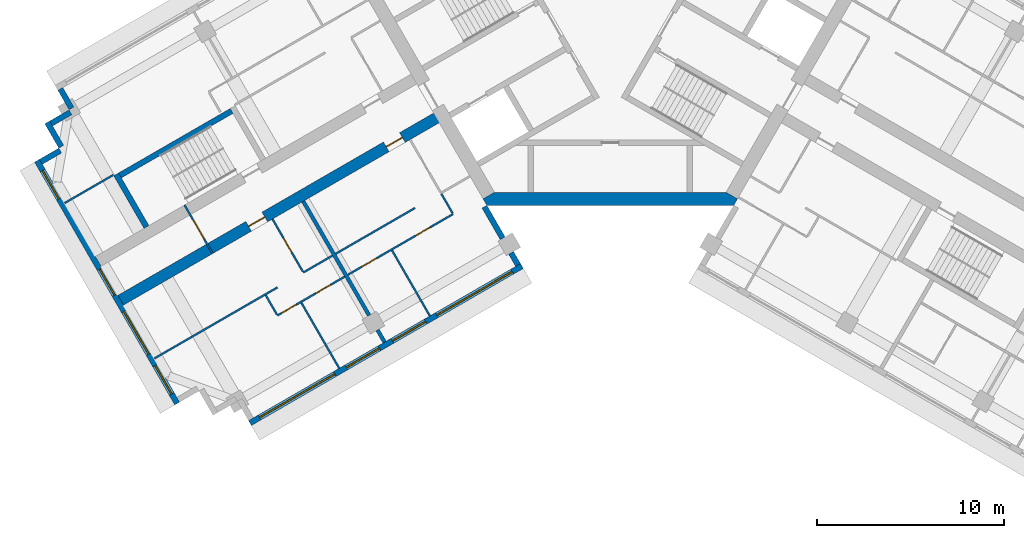
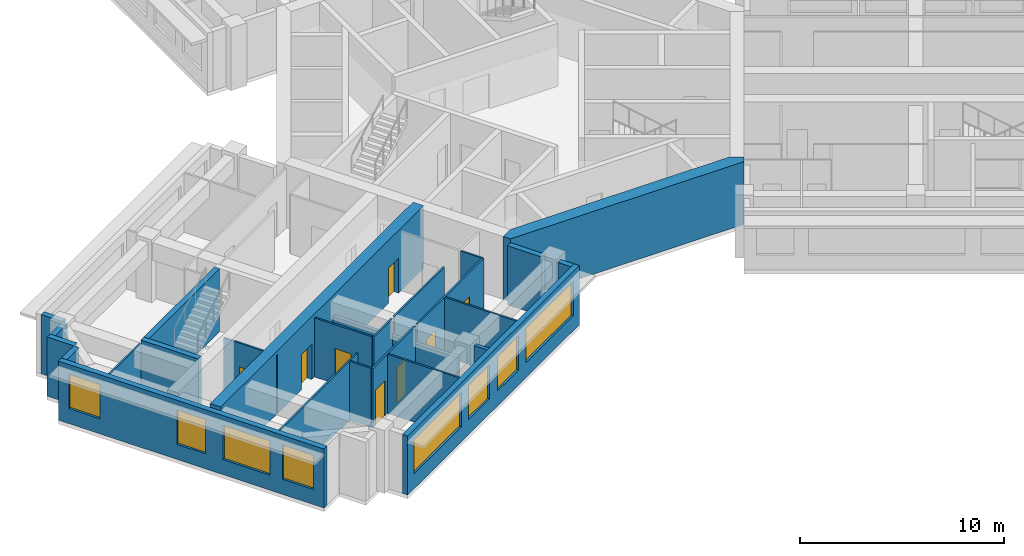
# One storey, part 2 of 10: 26 walls, 8 doors, 8 windows, 16 openings.
"""IFC4 building model written with IfcOpenShell, lengths in metres."""

from ifc_helpers import new_model, si_unit, direction, frame, frame_2d, origin, place, context, subcontext, project, spatial, polyline, rectangle, outline, extrude, material, layer, layer_set, type_object, element, fill, save


model = new_model("IFC4")

# Units and contexts
model_context = context("Model", 3, precision=1e-05, world=origin(), true_north=direction((0.0, 1.0)))
body_context = subcontext(model_context, "Body", "Model", "MODEL_VIEW")
ifc_project = project(units=[si_unit("LENGTHUNIT", "METRE"), si_unit("AREAUNIT", "SQUARE_METRE"), si_unit("VOLUMEUNIT", "CUBIC_METRE"), si_unit("PLANEANGLEUNIT", "RADIAN"), si_unit("MASSUNIT", "GRAM", prefix="KILO")], contexts=[model_context])

# Site, building, storey
site_placement = place(None, origin())
site = spatial("IfcSite", under=ifc_project, at=site_placement, CompositionType="ELEMENT")
building_placement = place(site_placement, origin())
building = spatial("IfcBuilding", under=site, at=building_placement, Name="Impinga Residences", CompositionType="ELEMENT")
storey_placement = place(building_placement, frame((0.0, 0.0, 233.5)))
storey = spatial("IfcBuildingStorey", under=building, at=storey_placement, Name="L58", CompositionType="ELEMENT", Elevation=233.5)

# Wall, openings, doors
ifc_material_1 = material(Name="Concrete C60/75", Category="concrete")
ifc_layer_1 = layer(ifc_material_1, 0.60009765625)
ifc_layer_set_1 = layer_set([ifc_layer_1], Name="Concrete C60/75")
wall_type_1 = type_object("IfcWallType", Name="BW3 corridor buttress wall, L46 to L73 600", PredefinedType="SHEAR", material=ifc_layer_set_1)
wall_1_placement = place(storey_placement, frame((-8.996826171875, -6.580078125, 0.0), z_axis=(0.0, 0.0, 1.0), x_axis=(-0.866030540451, -0.499991102927, 0.0)))
wall_1 = element("IfcWall", 1, at=wall_1_placement, inside=storey, type_object=wall_type_1, Name="Corridor wall BW3 WC L58", PredefinedType="SHEAR", context=body_context, shape_type="SweptSolid", body=[
    extrude(rectangle(XDim=19.849853515625, YDim=0.60009765625, at=frame_2d((9.9248046875, 0.0))), origin(), (0.0, 0.0, 1.0), 3.75),
])
opening_1_placement = place(wall_1_placement, frame((2.449951171875, 0.0, 0.0)))
opening_1 = element("IfcOpeningElement", 2, at=opening_1_placement, cuts=wall_1, Name="Opening D1", PredefinedType="OPENING", context=body_context, shape_type="SweptSolid", body=[
    extrude(rectangle(XDim=1.0, YDim=2.10009765625, at=frame_2d((0.5, 1.050048828125))), frame((0.0, 0.31005859375, 0.0), z_axis=(0.0, -1.0, 0.0), x_axis=(1.0, 0.0, 0.0)), (0.0, 0.0, 1.0), 0.6201171875),
])
opening_2_placement = place(wall_1_placement, frame((10.949951171875, 0.0, 0.0)))
opening_2 = element("IfcOpeningElement", 3, at=opening_2_placement, cuts=wall_1, Name="Opening D1", PredefinedType="OPENING", context=body_context, shape_type="SweptSolid", body=[
    extrude(rectangle(XDim=1.0, YDim=2.10009765625, at=frame_2d((0.5, 1.050048828125))), frame((0.0, 0.31005859375, 0.0), z_axis=(0.0, -1.0, 0.0), x_axis=(1.0, 0.0, 0.0)), (0.0, 0.0, 1.0), 0.6201171875),
])
ifc_material_2 = material(Name="Timber door set", Category="wood")
door_type_1 = type_object("IfcDoorType", Name="D1 apartment entrance door 1000x2100", OperationType="SINGLE_SWING_LEFT", PredefinedType="DOOR", material=ifc_material_2)
door_1_placement = place(opening_1_placement, origin())
door_1 = element("IfcDoor", 4, at=door_1_placement, inside=storey, type_object=door_type_1, Name="Apartment L58-WA1 entrance", OperationType="SINGLE_SWING_LEFT", OverallHeight=2.10009765625, OverallWidth=1.0, PredefinedType="DOOR", context=body_context, shape_type="SweptSolid", body=[
    extrude(rectangle(XDim=1.0, YDim=2.10009765625, at=frame_2d((0.5, 1.050048828125))), frame((0.0, 0.02490234375, 0.0), z_axis=(0.0, -1.0, 0.0), x_axis=(1.0, 0.0, 0.0)), (0.0, 0.0, 1.0), 0.050048828125),
])
fill(opening_1, door_1)
door_2_placement = place(opening_2_placement, origin())
door_2 = element("IfcDoor", 5, at=door_2_placement, inside=storey, type_object=door_type_1, Name="Apartment L58-WA2 entrance", OperationType="SINGLE_SWING_RIGHT", OverallHeight=2.10009765625, OverallWidth=1.0, PredefinedType="DOOR", context=body_context, shape_type="SweptSolid", body=[
    extrude(rectangle(XDim=1.0, YDim=2.10009765625, at=frame_2d((0.5, 1.050048828125))), frame((0.0, 0.02490234375, 0.0), z_axis=(0.0, -1.0, 0.0), x_axis=(1.0, 0.0, 0.0)), (0.0, 0.0, 1.0), 0.050048828125),
])
fill(opening_2, door_2)

# Wall, opening, door
ifc_material_3 = material(Name="Concrete blockwork", Category="masonry")
ifc_layer_2 = layer(ifc_material_3, 0.10009765625)
ifc_layer_set_2 = layer_set([ifc_layer_2], Name="CP1 core room partition, blockwork 100")
wall_type_2 = type_object("IfcWallType", Name="CP1 core room partition, blockwork 100", PredefinedType="PARTITIONING", material=ifc_layer_set_2)
wall_2_placement = place(storey_placement, frame((-21.2744140625, -14.014892578125, 0.0), z_axis=(0.0, 0.0, 1.0), x_axis=(-0.499990139034, 0.866031096941, 0.0)))
wall_2 = element("IfcWall", 6, at=wall_2_placement, inside=storey, type_object=wall_type_2, Name="Core room partition, blockwork L58:W:LNG", PredefinedType="PARTITIONING", context=body_context, shape_type="SweptSolid", body=[
    extrude(rectangle(XDim=3.0, YDim=0.10009765625, at=frame_2d((1.5, 0.0))), origin(), (0.0, 0.0, 1.0), 3.530029296875),
])
opening_3_placement = place(wall_2_placement, frame((0.89990234375, 0.0, 0.0)))
opening_3 = element("IfcOpeningElement", 7, at=opening_3_placement, cuts=wall_2, Name="Opening D3", PredefinedType="OPENING", context=body_context, shape_type="SweptSolid", body=[
    extrude(rectangle(XDim=1.199951171875, YDim=2.10009765625, at=frame_2d((0.60009765625, 1.050048828125))), frame((0.0, 0.06005859375, 0.0), z_axis=(0.0, -1.0, 0.0), x_axis=(1.0, 0.0, 0.0)), (0.0, 0.0, 1.0), 0.1201171875),
])
door_type_2 = type_object("IfcDoorType", Name="D3 room door, leaf and a half 1200x2100", OperationType="DOUBLE_SWING_LEFT", PredefinedType="DOOR", material=ifc_material_2)
door_3_placement = place(opening_3_placement, origin())
door_3 = element("IfcDoor", 8, at=door_3_placement, inside=storey, type_object=door_type_2, Name="Residents' lounge door W", OperationType="DOUBLE_SWING_LEFT", OverallHeight=2.10009765625, OverallWidth=1.199951171875, PredefinedType="DOOR", context=body_context, shape_type="SweptSolid", body=[
    extrude(rectangle(XDim=1.199951171875, YDim=2.10009765625, at=frame_2d((0.60009765625, 1.050048828125))), frame((0.0, 0.02490234375, 0.0), z_axis=(0.0, -1.0, 0.0), x_axis=(1.0, 0.0, 0.0)), (0.0, 0.0, 1.0), 0.050048828125),
])
fill(opening_3, door_3)

# Walls
ifc_material_4 = material(Name="Terracotta rainscreen on blockwork", Category="masonry")
ifc_layer_3 = layer(ifc_material_4, 0.300048828125)
ifc_layer_set_3 = layer_set([ifc_layer_3], Name="EW1 external wall, terracotta rainscreen on blockwork 300")
wall_type_3 = type_object("IfcWallType", Name="EW1 external wall, terracotta rainscreen on blockwork 300", PredefinedType="SOLIDWALL", material=ifc_layer_set_3)
wall_3_placement = place(storey_placement, frame((-6.72998046875, -11.506591796875, 0.0), z_axis=(0.0, 0.0, 1.0), x_axis=(0.500043961785, -0.866000020948, 0.0)))
element("IfcWall", 9, at=wall_3_placement, inside=storey, type_object=wall_type_3, Name="External wall EW1 L58", PredefinedType="SOLIDWALL", context=body_context, shape_type="SweptSolid", body=[
    extrude(rectangle(XDim=1.949951171875, YDim=0.300048828125, at=frame_2d((0.97509765625, 0.0))), origin(), (0.0, 0.0, 1.0), 3.530029296875),
])
wall_4_placement = place(storey_placement, frame((-5.304931640625, -13.974609375, 0.0), z_axis=(0.0, 0.0, 1.0), x_axis=(0.499919672301, -0.866071776036, 0.0)))
element("IfcWall", 10, at=wall_4_placement, inside=storey, type_object=wall_type_3, Name="External wall EW1 L58", PredefinedType="SOLIDWALL", context=body_context, shape_type="SweptSolid", body=[
    extrude(rectangle(XDim=0.75, YDim=0.300048828125, at=frame_2d((0.375, 0.0))), origin(), (0.0, 0.0, 1.0), 3.530029296875),
])

# Wall, openings, windows
wall_5_placement = place(storey_placement, frame((-4.72509765625, -14.67919921875, 0.0), z_axis=(0.0, 0.0, 1.0), x_axis=(-0.86602562146, -0.499999622975, 0.0)))
wall_5 = element("IfcWall", 11, at=wall_5_placement, inside=storey, type_object=wall_type_3, Name="External wall EW1 L58", PredefinedType="SOLIDWALL", context=body_context, shape_type="SweptSolid", body=[
    extrude(rectangle(XDim=16.7998046875, YDim=0.300048828125, at=frame_2d((8.39990234375, 0.0))), origin(), (0.0, 0.0, 1.0), 3.530029296875),
])
opening_4_placement = place(wall_5_placement, frame((0.60009765625, 0.0, 0.89990234375)))
opening_4 = element("IfcOpeningElement", 12, at=opening_4_placement, cuts=wall_5, Name="Opening W10", PredefinedType="OPENING", context=body_context, shape_type="SweptSolid", body=[
    extrude(rectangle(XDim=4.64990234375, YDim=2.050048828125, at=frame_2d((2.324951171875, 1.02490234375))), frame((0.0, 0.159912109375, 0.0), z_axis=(0.0, -1.0, 0.0), x_axis=(1.0, 0.0, 0.0)), (0.0, 0.0, 1.0), 0.320068359375),
])
opening_5_placement = place(wall_5_placement, frame((5.949951171875, 0.0, 0.89990234375)))
opening_5 = element("IfcOpeningElement", 13, at=opening_5_placement, cuts=wall_5, Name="Opening W14", PredefinedType="OPENING", context=body_context, shape_type="SweptSolid", body=[
    extrude(rectangle(XDim=2.050048828125, YDim=2.050048828125, at=frame_2d((1.02490234375, 1.02490234375))), frame((0.0, 0.159912109375, 0.0), z_axis=(0.0, -1.0, 0.0), x_axis=(1.0, 0.0, 0.0)), (0.0, 0.0, 1.0), 0.320068359375),
])
opening_6_placement = place(wall_5_placement, frame((8.800048828125, 0.0, 0.89990234375)))
opening_6 = element("IfcOpeningElement", 14, at=opening_6_placement, cuts=wall_5, Name="Opening W14", PredefinedType="OPENING", context=body_context, shape_type="SweptSolid", body=[
    extrude(rectangle(XDim=2.050048828125, YDim=2.050048828125, at=frame_2d((1.02490234375, 1.02490234375))), frame((0.0, 0.159912109375, 0.0), z_axis=(0.0, -1.0, 0.0), x_axis=(1.0, 0.0, 0.0)), (0.0, 0.0, 1.0), 0.320068359375),
])
opening_7_placement = place(wall_5_placement, frame((11.550048828125, 0.0, 0.89990234375)))
opening_7 = element("IfcOpeningElement", 15, at=opening_7_placement, cuts=wall_5, Name="Opening W10", PredefinedType="OPENING", context=body_context, shape_type="SweptSolid", body=[
    extrude(rectangle(XDim=4.64990234375, YDim=2.050048828125, at=frame_2d((2.324951171875, 1.02490234375))), frame((0.0, 0.159912109375, 0.0), z_axis=(0.0, -1.0, 0.0), x_axis=(1.0, 0.0, 0.0)), (0.0, 0.0, 1.0), 0.320068359375),
])
ifc_material_5 = material(Name="Aluminium window, clear double glazing", Category="aluminium")
window_type_1 = type_object("IfcWindowType", Name="W10 ribbon window 4650x2050", PartitioningType="SINGLE_PANEL", PredefinedType="WINDOW", material=ifc_material_5)
window_1_placement = place(opening_4_placement, origin())
window_1 = element("IfcWindow", 16, at=window_1_placement, inside=storey, type_object=window_type_1, Name="Window L58", OverallHeight=2.050048828125, OverallWidth=4.64990234375, PartitioningType="SINGLE_PANEL", PredefinedType="WINDOW", context=body_context, shape_type="SweptSolid", body=[
    extrude(rectangle(XDim=4.64990234375, YDim=2.050048828125, at=frame_2d((2.324951171875, 1.02490234375))), frame((0.0, 0.030029296875, 0.0), z_axis=(0.0, -1.0, 0.0), x_axis=(1.0, 0.0, 0.0)), (0.0, 0.0, 1.0), 0.06005859375),
])
fill(opening_4, window_1)
window_2_placement = place(opening_7_placement, origin())
window_2 = element("IfcWindow", 17, at=window_2_placement, inside=storey, type_object=window_type_1, Name="Window L58", OverallHeight=2.050048828125, OverallWidth=4.64990234375, PartitioningType="SINGLE_PANEL", PredefinedType="WINDOW", context=body_context, shape_type="SweptSolid", body=[
    extrude(rectangle(XDim=4.64990234375, YDim=2.050048828125, at=frame_2d((2.324951171875, 1.02490234375))), frame((0.0, 0.030029296875, 0.0), z_axis=(0.0, -1.0, 0.0), x_axis=(1.0, 0.0, 0.0)), (0.0, 0.0, 1.0), 0.06005859375),
])
fill(opening_7, window_2)
window_type_2 = type_object("IfcWindowType", Name="W14 ribbon window 2050x2050", PartitioningType="SINGLE_PANEL", PredefinedType="WINDOW", material=ifc_material_5)
window_3_placement = place(opening_5_placement, origin())
window_3 = element("IfcWindow", 18, at=window_3_placement, inside=storey, type_object=window_type_2, Name="Window L58", OverallHeight=2.050048828125, OverallWidth=2.050048828125, PartitioningType="SINGLE_PANEL", PredefinedType="WINDOW", context=body_context, shape_type="SweptSolid", body=[
    extrude(rectangle(XDim=2.050048828125, YDim=2.050048828125, at=frame_2d((1.02490234375, 1.02490234375))), frame((0.0, 0.030029296875, 0.0), z_axis=(0.0, -1.0, 0.0), x_axis=(1.0, 0.0, 0.0)), (0.0, 0.0, 1.0), 0.06005859375),
])
fill(opening_5, window_3)
window_4_placement = place(opening_6_placement, origin())
window_4 = element("IfcWindow", 19, at=window_4_placement, inside=storey, type_object=window_type_2, Name="Window L58", OverallHeight=2.050048828125, OverallWidth=2.050048828125, PartitioningType="SINGLE_PANEL", PredefinedType="WINDOW", context=body_context, shape_type="SweptSolid", body=[
    extrude(rectangle(XDim=2.050048828125, YDim=2.050048828125, at=frame_2d((1.02490234375, 1.02490234375))), frame((0.0, 0.030029296875, 0.0), z_axis=(0.0, -1.0, 0.0), x_axis=(1.0, 0.0, 0.0)), (0.0, 0.0, 1.0), 0.06005859375),
])
fill(opening_6, window_4)

wall_6_placement = place(storey_placement, frame((-23.16748046875, -22.035888671875, 0.0), z_axis=(0.0, 0.0, 1.0), x_axis=(-0.500004234368, 0.866022959057, 0.0)))
wall_6 = element("IfcWall", 20, at=wall_6_placement, inside=storey, type_object=wall_type_3, Name="External wall EW1 L58", PredefinedType="SOLIDWALL", context=body_context, shape_type="SweptSolid", body=[
    extrude(rectangle(XDim=14.999755859375, YDim=0.300048828125, at=frame_2d((7.5, 0.0))), origin(), (0.0, 0.0, 1.0), 3.530029296875),
])
opening_8_placement = place(wall_6_placement, frame((0.60009765625, 0.0, 0.89990234375)))
opening_8 = element("IfcOpeningElement", 21, at=opening_8_placement, cuts=wall_6, Name="Opening W1", PredefinedType="OPENING", context=body_context, shape_type="SweptSolid", body=[
    extrude(rectangle(XDim=1.75, YDim=2.050048828125, at=frame_2d((0.875, 1.02490234375))), frame((0.0, 0.159912109375, 0.0), z_axis=(0.0, -1.0, 0.0), x_axis=(1.0, 0.0, 0.0)), (0.0, 0.0, 1.0), 0.320068359375),
])
opening_9_placement = place(wall_6_placement, frame((3.050048828125, 0.0, 0.89990234375)))
opening_9 = element("IfcOpeningElement", 22, at=opening_9_placement, cuts=wall_6, Name="Opening W18", PredefinedType="OPENING", context=body_context, shape_type="SweptSolid", body=[
    extrude(rectangle(XDim=2.64990234375, YDim=2.050048828125, at=frame_2d((1.324951171875, 1.02490234375))), frame((0.0, 0.159912109375, 0.0), z_axis=(0.0, -1.0, 0.0), x_axis=(1.0, 0.0, 0.0)), (0.0, 0.0, 1.0), 0.320068359375),
])
opening_10_placement = place(wall_6_placement, frame((6.699951171875, 0.0, 0.89990234375)))
opening_10 = element("IfcOpeningElement", 23, at=opening_10_placement, cuts=wall_6, Name="Opening W19", PredefinedType="OPENING", context=body_context, shape_type="SweptSolid", body=[
    extrude(rectangle(XDim=1.60009765625, YDim=2.050048828125, at=frame_2d((0.800048828125, 1.02490234375))), frame((0.0, 0.159912109375, 0.0), z_axis=(0.0, -1.0, 0.0), x_axis=(1.0, 0.0, 0.0)), (0.0, 0.0, 1.0), 0.320068359375),
])
opening_11_placement = place(wall_6_placement, frame((12.64990234375, 0.0, 0.89990234375)))
opening_11 = element("IfcOpeningElement", 24, at=opening_11_placement, cuts=wall_6, Name="Opening W1", PredefinedType="OPENING", context=body_context, shape_type="SweptSolid", body=[
    extrude(rectangle(XDim=1.75, YDim=2.050048828125, at=frame_2d((0.875, 1.02490234375))), frame((0.0, 0.159912109375, 0.0), z_axis=(0.0, -1.0, 0.0), x_axis=(1.0, 0.0, 0.0)), (0.0, 0.0, 1.0), 0.320068359375),
])
window_type_3 = type_object("IfcWindowType", Name="W1 ribbon window 1750x2050", PartitioningType="SINGLE_PANEL", PredefinedType="WINDOW", material=ifc_material_5)
window_5_placement = place(opening_8_placement, origin())
window_5 = element("IfcWindow", 25, at=window_5_placement, inside=storey, type_object=window_type_3, Name="Window L58", OverallHeight=2.050048828125, OverallWidth=1.75, PartitioningType="SINGLE_PANEL", PredefinedType="WINDOW", context=body_context, shape_type="SweptSolid", body=[
    extrude(rectangle(XDim=1.75, YDim=2.050048828125, at=frame_2d((0.875, 1.02490234375))), frame((0.0, 0.030029296875, 0.0), z_axis=(0.0, -1.0, 0.0), x_axis=(1.0, 0.0, 0.0)), (0.0, 0.0, 1.0), 0.06005859375),
])
fill(opening_8, window_5)
window_6_placement = place(opening_11_placement, origin())
window_6 = element("IfcWindow", 26, at=window_6_placement, inside=storey, type_object=window_type_3, Name="Window L58", OverallHeight=2.050048828125, OverallWidth=1.75, PartitioningType="SINGLE_PANEL", PredefinedType="WINDOW", context=body_context, shape_type="SweptSolid", body=[
    extrude(rectangle(XDim=1.75, YDim=2.050048828125, at=frame_2d((0.875, 1.02490234375))), frame((0.0, 0.030029296875, 0.0), z_axis=(0.0, -1.0, 0.0), x_axis=(1.0, 0.0, 0.0)), (0.0, 0.0, 1.0), 0.06005859375),
])
fill(opening_11, window_6)
window_type_4 = type_object("IfcWindowType", Name="W18 ribbon window 2650x2050", PartitioningType="SINGLE_PANEL", PredefinedType="WINDOW", material=ifc_material_5)
window_7_placement = place(opening_9_placement, origin())
window_7 = element("IfcWindow", 27, at=window_7_placement, inside=storey, type_object=window_type_4, Name="Window L58", OverallHeight=2.050048828125, OverallWidth=2.64990234375, PartitioningType="SINGLE_PANEL", PredefinedType="WINDOW", context=body_context, shape_type="SweptSolid", body=[
    extrude(rectangle(XDim=2.64990234375, YDim=2.050048828125, at=frame_2d((1.324951171875, 1.02490234375))), frame((0.0, 0.030029296875, 0.0), z_axis=(0.0, -1.0, 0.0), x_axis=(1.0, 0.0, 0.0)), (0.0, 0.0, 1.0), 0.06005859375),
])
fill(opening_9, window_7)
window_type_5 = type_object("IfcWindowType", Name="W19 ribbon window 1600x2050", PartitioningType="SINGLE_PANEL", PredefinedType="WINDOW", material=ifc_material_5)
window_8_placement = place(opening_10_placement, origin())
window_8 = element("IfcWindow", 28, at=window_8_placement, inside=storey, type_object=window_type_5, Name="Window L58", OverallHeight=2.050048828125, OverallWidth=1.60009765625, PartitioningType="SINGLE_PANEL", PredefinedType="WINDOW", context=body_context, shape_type="SweptSolid", body=[
    extrude(rectangle(XDim=1.60009765625, YDim=2.050048828125, at=frame_2d((0.800048828125, 1.02490234375))), frame((0.0, 0.030029296875, 0.0), z_axis=(0.0, -1.0, 0.0), x_axis=(1.0, 0.0, 0.0)), (0.0, 0.0, 1.0), 0.06005859375),
])
fill(opening_10, window_8)

# Walls
wall_7_placement = place(storey_placement, frame((-30.46240234375, -9.1005859375, 0.0), z_axis=(0.0, 0.0, 1.0), x_axis=(0.865971243484, 0.500093796661, 0.0)))
element("IfcWall", 29, at=wall_7_placement, inside=storey, type_object=wall_type_3, Name="External wall EW1 L58", PredefinedType="SOLIDWALL", context=body_context, shape_type="SweptSolid", body=[
    extrude(rectangle(XDim=1.195068359375, YDim=0.300048828125, at=frame_2d((0.59765625, 0.0))), origin(), (0.0, 0.0, 1.0), 3.530029296875),
])
wall_8_placement = place(storey_placement, frame((-29.368408203125, -8.295654296875, 0.0), z_axis=(0.0, 0.0, 1.0), x_axis=(-0.499990139034, 0.866031096941, 0.0)))
element("IfcWall", 30, at=wall_8_placement, inside=storey, type_object=wall_type_3, Name="External wall EW1 L58", PredefinedType="SOLIDWALL", context=body_context, shape_type="SweptSolid", body=[
    extrude(rectangle(XDim=1.5, YDim=0.300048828125, at=frame_2d((0.75, 0.0))), origin(), (0.0, 0.0, 1.0), 3.530029296875),
])
wall_9_placement = place(storey_placement, frame((-29.91357421875, -7.051513671875, 0.0), z_axis=(0.0, 0.0, 1.0), x_axis=(0.865971243484, 0.500093796661, 0.0)))
element("IfcWall", 31, at=wall_9_placement, inside=storey, type_object=wall_type_3, Name="External wall EW1 L58", PredefinedType="SOLIDWALL", context=body_context, shape_type="SweptSolid", body=[
    extrude(rectangle(XDim=1.195068359375, YDim=0.300048828125, at=frame_2d((0.59765625, 0.0))), origin(), (0.0, 0.0, 1.0), 3.530029296875),
])
wall_10_placement = place(storey_placement, frame((-28.8193359375, -6.24658203125, 0.0), z_axis=(0.0, 0.0, 1.0), x_axis=(-0.500033551112, 0.866006032174, 0.0)))
element("IfcWall", 32, at=wall_10_placement, inside=storey, type_object=wall_type_3, Name="External wall EW1 L58", PredefinedType="SOLIDWALL", context=body_context, shape_type="SweptSolid", body=[
    extrude(rectangle(XDim=1.2001953125, YDim=0.300048828125, at=frame_2d((0.60009765625, 0.0))), origin(), (0.0, 0.0, 1.0), 3.530029296875),
])
ifc_material_6 = material(Name="Gypsum board on steel studs", Category="steel")
ifc_layer_4 = layer(ifc_material_6, 0.10009765625)
ifc_layer_set_4 = layer_set([ifc_layer_4], Name="Gypsum board on steel studs")
wall_type_4 = type_object("IfcWallType", Name="IP1 partition 100", PredefinedType="PARTITIONING", material=ifc_layer_set_4)
wall_11_placement = place(storey_placement, frame((-10.444580078125, -11.57275390625, 0.0), z_axis=(0.0, 0.0, 1.0), x_axis=(-0.866023786258, -0.500002801628, 0.0)))
element("IfcWall", 33, at=wall_11_placement, inside=storey, type_object=wall_type_4, Name="Partition L58-WA1:DIV1", PredefinedType="PARTITIONING", context=body_context, shape_type="SweptSolid", body=[
    extrude(rectangle(XDim=4.89990234375, YDim=0.10009765625, at=frame_2d((2.449951171875, 0.0))), origin(), (0.0, 0.0, 1.0), 3.530029296875),
])

# Wall, openings, doors
wall_12_placement = place(storey_placement, frame((-8.408935546875, -11.8984375, 0.0), z_axis=(0.0, 0.0, 1.0), x_axis=(-0.866024837091, -0.50000098154, 0.0)))
wall_12 = element("IfcWall", 34, at=wall_12_placement, inside=storey, type_object=wall_type_4, Name="Partition L58-WA1:STRIP", PredefinedType="PARTITIONING", context=body_context, shape_type="SweptSolid", body=[
    extrude(rectangle(XDim=6.5, YDim=0.10009765625, at=frame_2d((3.25, 0.0))), origin(), (0.0, 0.0, 1.0), 3.530029296875),
])
opening_12_placement = place(wall_12_placement, frame((1.425048828125, 0.0, 0.0)))
opening_12 = element("IfcOpeningElement", 35, at=opening_12_placement, cuts=wall_12, Name="Opening D2", PredefinedType="OPENING", context=body_context, shape_type="SweptSolid", body=[
    extrude(rectangle(XDim=0.89990234375, YDim=2.10009765625, at=frame_2d((0.449951171875, 1.050048828125))), frame((0.0, 0.06005859375, 0.0), z_axis=(0.0, -1.0, 0.0), x_axis=(1.0, 0.0, 0.0)), (0.0, 0.0, 1.0), 0.1201171875),
])
opening_13_placement = place(wall_12_placement, frame((4.72509765625, 0.0, 0.0)))
opening_13 = element("IfcOpeningElement", 36, at=opening_13_placement, cuts=wall_12, Name="Opening D2", PredefinedType="OPENING", context=body_context, shape_type="SweptSolid", body=[
    extrude(rectangle(XDim=0.89990234375, YDim=2.10009765625, at=frame_2d((0.449951171875, 1.050048828125))), frame((0.0, 0.06005859375, 0.0), z_axis=(0.0, -1.0, 0.0), x_axis=(1.0, 0.0, 0.0)), (0.0, 0.0, 1.0), 0.1201171875),
])
door_type_3 = type_object("IfcDoorType", Name="D2 internal door 900x2100", OperationType="SINGLE_SWING_LEFT", PredefinedType="DOOR", material=ifc_material_2)
door_4_placement = place(opening_12_placement, origin())
door_4 = element("IfcDoor", 37, at=door_4_placement, inside=storey, type_object=door_type_3, Name="Apartment L58-WA1 room door", OperationType="SINGLE_SWING_LEFT", OverallHeight=2.10009765625, OverallWidth=0.89990234375, PredefinedType="DOOR", context=body_context, shape_type="SweptSolid", body=[
    extrude(rectangle(XDim=0.89990234375, YDim=2.10009765625, at=frame_2d((0.449951171875, 1.050048828125))), frame((0.0, 0.02490234375, 0.0), z_axis=(0.0, -1.0, 0.0), x_axis=(1.0, 0.0, 0.0)), (0.0, 0.0, 1.0), 0.050048828125),
])
fill(opening_12, door_4)
door_5_placement = place(opening_13_placement, origin())
door_5 = element("IfcDoor", 38, at=door_5_placement, inside=storey, type_object=door_type_3, Name="Apartment L58-WA1 room door", OperationType="SINGLE_SWING_RIGHT", OverallHeight=2.10009765625, OverallWidth=0.89990234375, PredefinedType="DOOR", context=body_context, shape_type="SweptSolid", body=[
    extrude(rectangle(XDim=0.89990234375, YDim=2.10009765625, at=frame_2d((0.449951171875, 1.050048828125))), frame((0.0, 0.02490234375, 0.0), z_axis=(0.0, -1.0, 0.0), x_axis=(1.0, 0.0, 0.0)), (0.0, 0.0, 1.0), 0.050048828125),
])
fill(opening_13, door_5)

# Walls
wall_13_placement = place(storey_placement, frame((-9.033935546875, -10.81591796875, 0.0), z_axis=(0.0, 0.0, 1.0), x_axis=(0.500033551112, -0.866006032174, 0.0)))
element("IfcWall", 39, at=wall_13_placement, inside=storey, type_object=wall_type_4, Name="Partition L58-WA1:SE0", PredefinedType="PARTITIONING", context=body_context, shape_type="SweptSolid", body=[
    extrude(rectangle(XDim=1.2001953125, YDim=0.10009765625, at=frame_2d((0.60009765625, 0.0))), origin(), (0.0, 0.0, 1.0), 3.530029296875),
])
wall_14_placement = place(storey_placement, frame((-11.6748046875, -13.841796875, 0.0), z_axis=(0.0, 0.0, 1.0), x_axis=(0.500035537042, -0.866004885491, 0.0)))
element("IfcWall", 40, at=wall_14_placement, inside=storey, type_object=wall_type_4, Name="Partition L58-WA1:OB1", PredefinedType="PARTITIONING", context=body_context, shape_type="SweptSolid", body=[
    extrude(rectangle(XDim=4.050048828125, YDim=0.10009765625, at=frame_2d((2.02490234375, 0.0))), origin(), (0.0, 0.0, 1.0), 3.530029296875),
])
wall_15_placement = place(storey_placement, frame((-14.861328125, -14.122802734375, 0.0), z_axis=(0.0, 0.0, 1.0), x_axis=(-0.866047807691, -0.499961193289, 0.0)))
element("IfcWall", 41, at=wall_15_placement, inside=storey, type_object=wall_type_4, Name="Partition L58-WA2:DIV0", PredefinedType="PARTITIONING", context=body_context, shape_type="SweptSolid", body=[
    extrude(rectangle(XDim=1.800048828125, YDim=0.10009765625, at=frame_2d((0.89990234375, 0.0))), origin(), (0.0, 0.0, 1.0), 3.530029296875),
])
wall_16_placement = place(storey_placement, frame((-17.8056640625, -15.82275390625, 0.0), z_axis=(0.0, 0.0, 1.0), x_axis=(-0.866022425744, -0.500005158081, 0.0)))
element("IfcWall", 42, at=wall_16_placement, inside=storey, type_object=wall_type_4, Name="Partition L58-WA2:DIV1", PredefinedType="PARTITIONING", context=body_context, shape_type="SweptSolid", body=[
    extrude(rectangle(XDim=7.60009765625, YDim=0.10009765625, at=frame_2d((3.800048828125, 0.0))), origin(), (0.0, 0.0, 1.0), 3.530029296875),
])

# Wall, openings, doors
wall_17_placement = place(storey_placement, frame((-14.211181640625, -15.24853515625, 0.0), z_axis=(0.0, 0.0, 1.0), x_axis=(-0.86602981871, -0.499992353047, 0.0)))
wall_17 = element("IfcWall", 43, at=wall_17_placement, inside=storey, type_object=wall_type_4, Name="Partition L58-WA2:STRIP", PredefinedType="PARTITIONING", context=body_context, shape_type="SweptSolid", body=[
    extrude(rectangle(XDim=4.14990234375, YDim=0.10009765625, at=frame_2d((2.074951171875, 0.0))), origin(), (0.0, 0.0, 1.0), 3.530029296875),
])
opening_14_placement = place(wall_17_placement, frame((0.875, 0.0, 0.0)))
opening_14 = element("IfcOpeningElement", 44, at=opening_14_placement, cuts=wall_17, Name="Opening D2", PredefinedType="OPENING", context=body_context, shape_type="SweptSolid", body=[
    extrude(rectangle(XDim=0.89990234375, YDim=2.10009765625, at=frame_2d((0.449951171875, 1.050048828125))), frame((0.0, 0.06005859375, 0.0), z_axis=(0.0, -1.0, 0.0), x_axis=(1.0, 0.0, 0.0)), (0.0, 0.0, 1.0), 0.1201171875),
])
opening_15_placement = place(wall_17_placement, frame((3.0, 0.0, 0.0)))
opening_15 = element("IfcOpeningElement", 45, at=opening_15_placement, cuts=wall_17, Name="Opening D2", PredefinedType="OPENING", context=body_context, shape_type="SweptSolid", body=[
    extrude(rectangle(XDim=0.89990234375, YDim=2.10009765625, at=frame_2d((0.449951171875, 1.050048828125))), frame((0.0, 0.06005859375, 0.0), z_axis=(0.0, -1.0, 0.0), x_axis=(1.0, 0.0, 0.0)), (0.0, 0.0, 1.0), 0.1201171875),
])
door_6_placement = place(opening_14_placement, origin())
door_6 = element("IfcDoor", 46, at=door_6_placement, inside=storey, type_object=door_type_3, Name="Apartment L58-WA2 room door", OperationType="SINGLE_SWING_LEFT", OverallHeight=2.10009765625, OverallWidth=0.89990234375, PredefinedType="DOOR", context=body_context, shape_type="SweptSolid", body=[
    extrude(rectangle(XDim=0.89990234375, YDim=2.10009765625, at=frame_2d((0.449951171875, 1.050048828125))), frame((0.0, 0.02490234375, 0.0), z_axis=(0.0, -1.0, 0.0), x_axis=(1.0, 0.0, 0.0)), (0.0, 0.0, 1.0), 0.050048828125),
])
fill(opening_14, door_6)
door_7_placement = place(opening_15_placement, origin())
door_7 = element("IfcDoor", 47, at=door_7_placement, inside=storey, type_object=door_type_3, Name="Apartment L58-WA2 room door", OperationType="SINGLE_SWING_RIGHT", OverallHeight=2.10009765625, OverallWidth=0.89990234375, PredefinedType="DOOR", context=body_context, shape_type="SweptSolid", body=[
    extrude(rectangle(XDim=0.89990234375, YDim=2.10009765625, at=frame_2d((0.449951171875, 1.050048828125))), frame((0.0, 0.02490234375, 0.0), z_axis=(0.0, -1.0, 0.0), x_axis=(1.0, 0.0, 0.0)), (0.0, 0.0, 1.0), 0.050048828125),
])
fill(opening_15, door_7)

# Wall
wall_18_placement = place(storey_placement, frame((-18.43017578125, -16.240966796875, 0.0), z_axis=(0.0, 0.0, 1.0), x_axis=(0.499880961361, -0.866094119867, 0.0)))
element("IfcWall", 48, at=wall_18_placement, inside=storey, type_object=wall_type_4, Name="Partition L58-WA2:SE1", PredefinedType="PARTITIONING", context=body_context, shape_type="SweptSolid", body=[
    extrude(rectangle(XDim=1.199951171875, YDim=0.10009765625, at=frame_2d((0.60009765625, 0.0))), origin(), (0.0, 0.0, 1.0), 3.530029296875),
])

# Wall, opening, door
wall_19_placement = place(storey_placement, frame((-18.070068359375, -12.164794921875, 0.0), z_axis=(0.0, 0.0, 1.0), x_axis=(0.499984717929, -0.866034226713, 0.0)))
wall_19 = element("IfcWall", 49, at=wall_19_placement, inside=storey, type_object=wall_type_4, Name="Partition L58-WA2:IB1", PredefinedType="PARTITIONING", context=body_context, shape_type="SweptSolid", body=[
    extrude(rectangle(XDim=3.25, YDim=0.10009765625, at=frame_2d((1.625, 0.0))), origin(), (0.0, 0.0, 1.0), 3.530029296875),
])
opening_16_placement = place(wall_19_placement, frame((1.175048828125, 0.0, 0.0)))
opening_16 = element("IfcOpeningElement", 50, at=opening_16_placement, cuts=wall_19, Name="Opening D2", PredefinedType="OPENING", context=body_context, shape_type="SweptSolid", body=[
    extrude(rectangle(XDim=0.89990234375, YDim=2.10009765625, at=frame_2d((0.449951171875, 1.050048828125))), frame((0.0, 0.06005859375, 0.0), z_axis=(0.0, -1.0, 0.0), x_axis=(1.0, 0.0, 0.0)), (0.0, 0.0, 1.0), 0.1201171875),
])
door_8_placement = place(opening_16_placement, origin())
door_8 = element("IfcDoor", 51, at=door_8_placement, inside=storey, type_object=door_type_3, Name="Apartment L58-WA2 bathroom door", OperationType="SINGLE_SWING_LEFT", OverallHeight=2.10009765625, OverallWidth=0.89990234375, PredefinedType="DOOR", context=body_context, shape_type="SweptSolid", body=[
    extrude(rectangle(XDim=0.89990234375, YDim=2.10009765625, at=frame_2d((0.449951171875, 1.050048828125))), frame((0.0, 0.02490234375, 0.0), z_axis=(0.0, -1.0, 0.0), x_axis=(1.0, 0.0, 0.0)), (0.0, 0.0, 1.0), 0.050048828125),
])
fill(opening_16, door_8)

# Walls
wall_20_placement = place(storey_placement, frame((-16.5244140625, -16.641845703125, 0.0), z_axis=(0.0, 0.0, 1.0), x_axis=(0.499990325971, -0.866030989016, 0.0)))
element("IfcWall", 52, at=wall_20_placement, inside=storey, type_object=wall_type_4, Name="Partition L58-WA2:OB1", PredefinedType="PARTITIONING", context=body_context, shape_type="SweptSolid", body=[
    extrude(rectangle(XDim=4.0498046875, YDim=0.10009765625, at=frame_2d((2.02490234375, 0.0))), origin(), (0.0, 0.0, 1.0), 3.530029296875),
])
wall_21_placement = place(storey_placement, frame((-26.58935546875, -9.808837890625, 0.0), z_axis=(0.0, 0.0, 1.0), x_axis=(-0.866031096941, -0.499990139034, 0.0)))
element("IfcWall", 53, at=wall_21_placement, inside=storey, type_object=wall_type_4, Name="Partition L58-WF1:DIV2", PredefinedType="PARTITIONING", context=body_context, shape_type="SweptSolid", body=[
    extrude(rectangle(XDim=3.0, YDim=0.10009765625, at=frame_2d((1.5, 0.0))), origin(), (0.0, 0.0, 1.0), 3.530029296875),
])
ifc_layer_5 = layer(ifc_material_3, 0.199951171875)
ifc_layer_set_5 = layer_set([ifc_layer_5], Name="PW1 party wall between apartments 200")
wall_type_5 = type_object("IfcWallType", Name="PW1 party wall between apartments 200", PredefinedType="SOLIDWALL", material=ifc_layer_set_5)
wall_22_placement = place(storey_placement, frame((-16.424560546875, -11.21484375, 0.0), z_axis=(0.0, 0.0, 1.0), x_axis=(0.499990246421, -0.866031034943, 0.0)))
element("IfcWall", 54, at=wall_22_placement, inside=storey, type_object=wall_type_5, Name="Party wall between apartments L58-WA1:PARTY", PredefinedType="SOLIDWALL", context=body_context, shape_type="SweptSolid", body=[
    extrude(rectangle(XDim=7.050048828125, YDim=0.199951171875, at=frame_2d((3.52490234375, 0.0))), origin(), (0.0, 0.0, 1.0), 2.47998046875),
])
wall_23_placement = place(storey_placement, frame((-12.44970703125, -18.099609375, 0.0), z_axis=(0.0, 0.0, 1.0), x_axis=(0.499919672301, -0.866071776036, 0.0)))
element("IfcWall", 55, at=wall_23_placement, inside=storey, type_object=wall_type_5, Name="Party wall between apartments L58-WA1:PARTYb", PredefinedType="SOLIDWALL", context=body_context, shape_type="SweptSolid", body=[
    extrude(rectangle(XDim=0.75, YDim=0.199951171875, at=frame_2d((0.375, 0.0))), origin(), (0.0, 0.0, 1.0), 3.530029296875),
])
ifc_layer_6 = layer(ifc_material_1, 0.300048828125)
ifc_layer_set_6 = layer_set([ifc_layer_6], Name="Concrete C60/75")
wall_type_6 = type_object("IfcWallType", Name="SE1 wing stair enclosure wall 300", PredefinedType="SOLIDWALL", material=ifc_layer_set_6)
wall_24_placement = place(storey_placement, frame((-24.8095703125, -12.591796875, 0.0), z_axis=(0.0, 0.0, 1.0), x_axis=(-0.499984717929, 0.866034226713, 0.0)))
element("IfcWall", 56, at=wall_24_placement, inside=storey, type_object=wall_type_6, Name="Stair enclosure wall SE1 W END1 L58", PredefinedType="SOLIDWALL", context=body_context, shape_type="SweptSolid", body=[
    extrude(rectangle(XDim=3.25, YDim=0.300048828125, at=frame_2d((1.625, 0.0))), origin(), (0.0, 0.0, 1.0), 3.75),
])
wall_25_placement = place(storey_placement, frame((-20.254150390625, -6.382080078125, 0.0), z_axis=(0.0, 0.0, 1.0), x_axis=(-0.866020008033, -0.500009345598, 0.0)))
element("IfcWall", 57, at=wall_25_placement, inside=storey, type_object=wall_type_6, Name="Stair enclosure wall SE1 W OUT L58", PredefinedType="SOLIDWALL", context=body_context, shape_type="SweptSolid", body=[
    extrude(rectangle(XDim=6.899658203125, YDim=0.300048828125, at=frame_2d((3.44970703125, 0.0))), origin(), (0.0, 0.0, 1.0), 3.75),
])
ifc_layer_7 = layer(ifc_material_1, 0.699951171875)
ifc_layer_set_7 = layer_set([ifc_layer_7], Name="Concrete C60/75")
wall_type_7 = type_object("IfcWallType", Name="SW3 core wall 700", PredefinedType="SHEAR", material=ifc_layer_set_7)
wall_26_placement = place(storey_placement, origin())
element("IfcWall", 58, at=wall_26_placement, inside=storey, type_object=wall_type_7, Name="Core wall SW3 N:EXPOSED L58", PredefinedType="SHEAR", context=body_context, shape_type="SweptSolid", body=[
    extrude(outline(polyline([(-6.60009765625, -11.431640625), (6.60009765625, -11.431640625), (6.802001953125, -11.08154296875), (6.19580078125, -10.7314453125), (-6.19580078125, -10.7314453125), (-6.802001953125, -11.08154296875), (-6.60009765625, -11.431640625)])), origin(), (0.0, 0.0, 1.0), 3.75),
])

save(model, "model.ifc")
